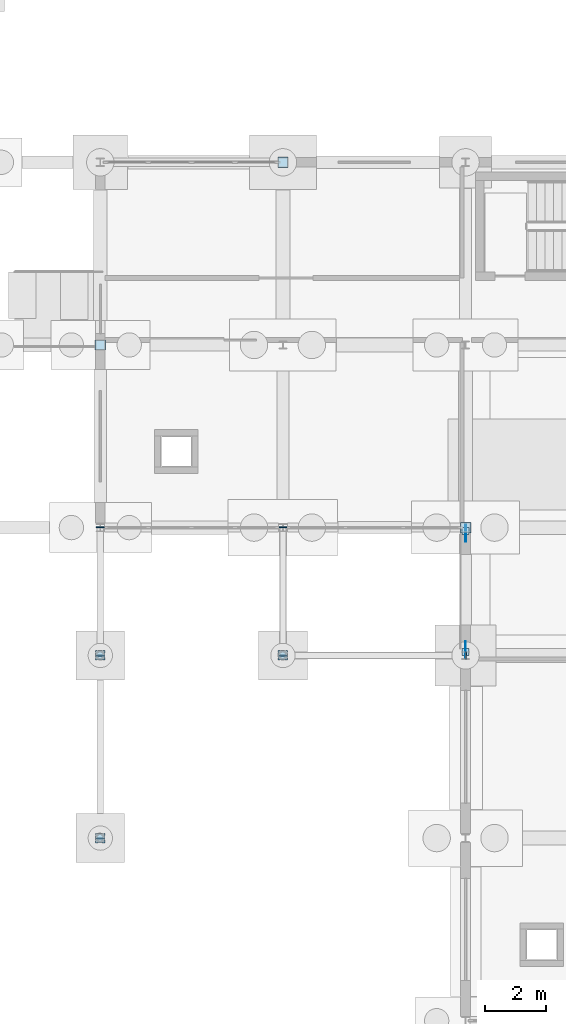
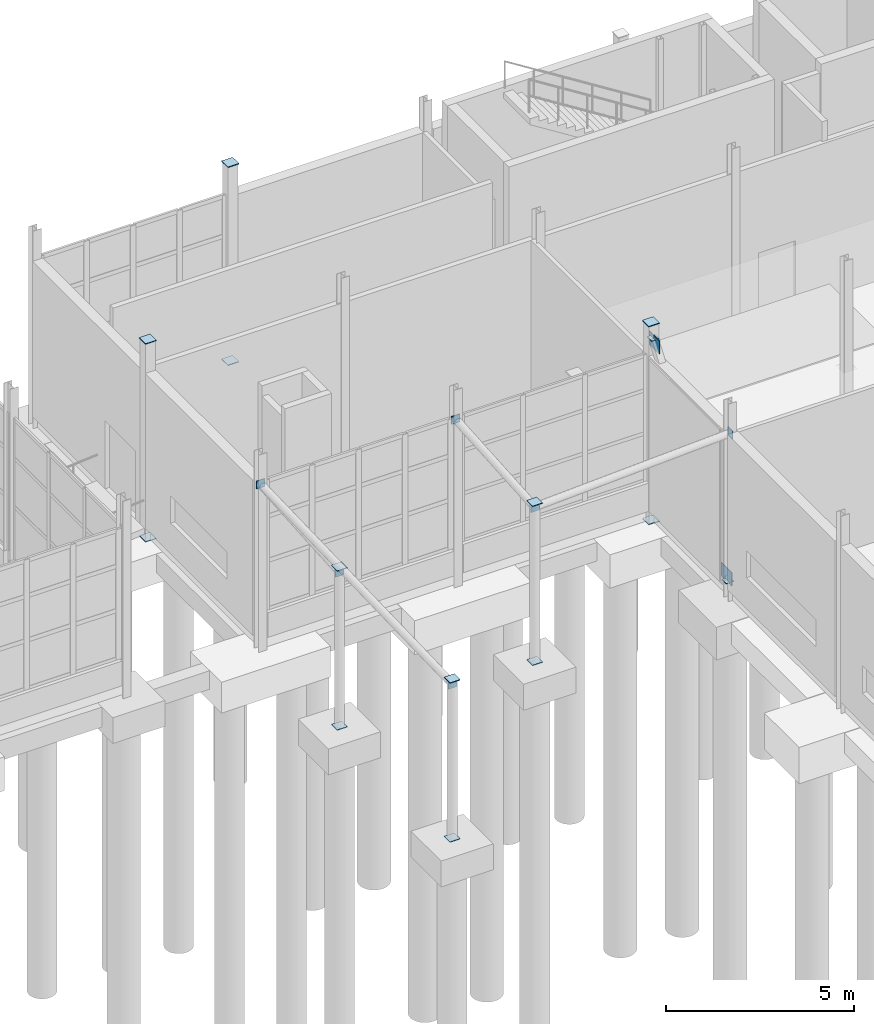
# One storey, part 83 of 120: 22 plates.
"""IFC4 building model written with IfcOpenShell, lengths in metres."""

import ifcopenshell
import ifcopenshell.guid

model = None  # the IFC model being written
_history = None  # IfcOwnerHistory: only IFC2X3 demands one
_inside = {}  # id of a spatial element -> (the spatial element, [elements in it])
_under = {}  # id of a project, library or spatial element -> (it, [spatial elements below it])
_declared = {}  # id of a project -> (the project, [libraries it declares])
_typed = {}  # id of a type object -> (the type object, [elements of that type])
_made_of = {}  # id of a material, layer set ... -> (it, [elements and type objects made of it])


def new_model(schema):
    """Start an empty IFC model of exactly this schema.

    Asked for "IFC4X3", IfcOpenShell would pick the latest addendum, in which some entities
    have other attributes; the version numbers below select the first issue.
    IFC2X3 requires an IfcOwnerHistory on every rooted entity: one is made here for all.
    """
    global model, _history
    if schema == "IFC4X3":
        model = ifcopenshell.file(schema_version=(4, 3, 0, 0))
    else:
        model = ifcopenshell.file(schema=schema)
    _inside.clear()
    _under.clear()
    _declared.clear()
    _typed.clear()
    _made_of.clear()
    _history = None
    if model.schema == "IFC2X3":
        org = make("IfcOrganization", Name="unknown")
        user = make(
            "IfcPersonAndOrganization",
            ThePerson=make("IfcPerson", FamilyName="unknown"),
            TheOrganization=org,
        )
        app = make(
            "IfcApplication",
            ApplicationDeveloper=org,
            Version="unknown",
            ApplicationFullName="unknown",
            ApplicationIdentifier="unknown",
        )
        _history = make(
            "IfcOwnerHistory",
            OwningUser=user,
            OwningApplication=app,
            ChangeAction="ADDED",
            CreationDate=0,
        )
    return model


def make(cls, **values):
    """One entity of the class cls with the attributes given. An attribute that is None is left unset."""
    return model.create_entity(
        cls, **{name: value for name, value in values.items() if value is not None}
    )


def rooted(cls, **values):
    """An entity with a GlobalId (a new one), such as an element, a storey or a relation."""
    return make(cls, GlobalId=ifcopenshell.guid.new(), OwnerHistory=_history, **values)


def si_unit(unit_type, name, prefix=None):
    """IfcSIUnit, for example si_unit("LENGTHUNIT", "METRE", prefix="MILLI")."""
    return make("IfcSIUnit", UnitType=unit_type, Prefix=prefix, Name=name)


def assignment(units):
    """IfcUnitAssignment: the units of a project."""
    return None if units is None else make("IfcUnitAssignment", Units=units)


def point(xyz):
    """IfcCartesianPoint."""
    return None if xyz is None else make("IfcCartesianPoint", Coordinates=xyz)


def direction(xyz):
    """IfcDirection."""
    return None if xyz is None else make("IfcDirection", DirectionRatios=xyz)


def frame(location, z_axis=None, x_axis=None):
    """IfcAxis2Placement3D, a coordinate frame: its origin and axes. An axis left out is left unset."""
    return make(
        "IfcAxis2Placement3D",
        Location=point(location),
        Axis=direction(z_axis),
        RefDirection=direction(x_axis),
    )


def frame_2d(location, x_axis=None):
    """IfcAxis2Placement2D, a coordinate frame in the plane: its origin and x axis."""
    return make(
        "IfcAxis2Placement2D", Location=point(location), RefDirection=direction(x_axis)
    )


def origin():
    """The frame at (0, 0, 0) with its axes left unset."""
    return frame((0.0, 0.0, 0.0))


def origin_2d():
    """The frame at (0, 0) in the plane with its x axis left unset."""
    return frame_2d((0.0, 0.0))


def place(relative_to, where):
    """IfcLocalPlacement: puts the frame where relative to a parent placement (None: the world)."""
    return make(
        "IfcLocalPlacement", PlacementRelTo=relative_to, RelativePlacement=where
    )


def context(
    kind, dimensions, precision=None, world=None, true_north=None, identifier=None
):
    """IfcGeometricRepresentationContext, for example the 3D "Model" context."""
    return make(
        "IfcGeometricRepresentationContext",
        ContextIdentifier=identifier,
        ContextType=kind,
        CoordinateSpaceDimension=dimensions,
        Precision=precision,
        WorldCoordinateSystem=world,
        TrueNorth=true_north,
    )


def subcontext(parent, identifier, kind, view, scale=None):
    """IfcGeometricRepresentationSubContext, for example "Body" below "Model"."""
    return make(
        "IfcGeometricRepresentationSubContext",
        ContextIdentifier=identifier,
        ContextType=kind,
        ParentContext=parent,
        TargetScale=scale,
        TargetView=view,
    )


def project(units=None, contexts=None):
    """IfcProject with its units and contexts."""
    return rooted(
        "IfcProject",
        Name="project",
        RepresentationContexts=contexts,
        UnitsInContext=assignment(units),
    )


def spatial(cls, under=None, at=None, **own):
    """A site, building, storey or space (cls), placed at a placement, below another one or the project."""
    s = rooted(cls, ObjectPlacement=at, **own)
    if under is not None:
        _under.setdefault(under.id(), (under, []))[1].append(s)
    return s


def profile(cls, at=None, kind="AREA", **sizes):
    """A parametric profile (cls). Its sizes go by their IFC names, for example OverallWidth=200.0."""
    return make(cls, ProfileType=kind, Position=at, **sizes)


def rectangle(**sizes):
    """IfcRectangleProfileDef."""
    return profile("IfcRectangleProfileDef", **sizes)


def extrude(swept, where, along, depth):
    """IfcExtrudedAreaSolid: the profile swept, set in the frame where, extruded along a direction by depth."""
    return make(
        "IfcExtrudedAreaSolid",
        SweptArea=swept,
        Position=where,
        ExtrudedDirection=direction(along),
        Depth=depth,
    )


def shape(context_of_items, identifier, shape_type, items):
    """IfcShapeRepresentation: the items that make up one representation, for example the "Body"."""
    return make(
        "IfcShapeRepresentation",
        ContextOfItems=context_of_items,
        RepresentationIdentifier=identifier,
        RepresentationType=shape_type,
        Items=items,
    )


def material(Name=None, Category=None):
    """IfcMaterial."""
    return make("IfcMaterial", Name=Name, Category=Category)


def layer(
    of_material, thickness, ventilated=None, Name=None, Category=None, Priority=None
):
    """IfcMaterialLayer: one layer of a wall or slab, of a material (None: an air gap)."""
    return make(
        "IfcMaterialLayer",
        Material=of_material,
        LayerThickness=thickness,
        IsVentilated=ventilated,
        Name=Name,
        Category=Category,
        Priority=Priority,
    )


def layer_set(layers, Name=None):
    """IfcMaterialLayerSet."""
    return make("IfcMaterialLayerSet", MaterialLayers=layers, LayerSetName=Name)


def made_of(thing, what):
    """Note that an element or type object is made of a material, layer set ...; save() writes the relation."""
    if what is not None:
        _made_of.setdefault(what.id(), (what, []))[1].append(thing)
    return thing


def type_object(cls, material=None, **own):
    """A type object (cls), such as IfcWallType, which elements share."""
    return made_of(rooted(cls, **own), material)


def element(
    cls,
    number,
    at=None,
    inside=None,
    cuts=None,
    type_object=None,
    material=None,
    context=None,
    identifier="Body",
    shape_type=None,
    held_by="IfcProductDefinitionShape",
    body=None,
    shapes=None,
    **own,
):
    """One element of the class cls, such as IfcWall. Its Tag is "e" and its number.

    at: its placement. inside: the storey or other place that contains it. cuts: it is an
    opening in that element (IfcRelVoidsElement). A single representation is given by context,
    identifier, shape_type and body (its items); several are given by shapes. held_by: the class
    of the entity that holds the representations. save() writes the other relations.
    """
    e = rooted(cls, Tag="e%d" % number, ObjectPlacement=at, **own)
    if body is not None:
        shapes = [shape(context, identifier, shape_type, body)]
    if shapes is not None:
        e.Representation = make(held_by, Representations=shapes)
    if inside is not None:
        _inside.setdefault(inside.id(), (inside, []))[1].append(e)
    if cuts is not None:
        rooted(
            "IfcRelVoidsElement", RelatingBuildingElement=cuts, RelatedOpeningElement=e
        )
    if type_object is not None:
        _typed.setdefault(type_object.id(), (type_object, []))[1].append(e)
    return made_of(e, material)


def aggregate(whole, parts):
    """IfcRelAggregates: a whole, such as a stair, and the parts it consists of."""
    return rooted("IfcRelAggregates", RelatingObject=whole, RelatedObjects=parts)


def save(model, path):
    """Write the relations noted so far, then the file.

    IfcRelAggregates (storeys below a building ...), IfcRelContainedInSpatialStructure (elements
    in a storey), IfcRelDefinesByType, IfcRelAssociatesMaterial and IfcRelDeclares: one each for
    every whole, place, type object, material and project.
    """
    for whole, parts in _under.values():
        aggregate(whole, parts)
    for where, things in _inside.values():
        rooted(
            "IfcRelContainedInSpatialStructure",
            RelatedElements=things,
            RelatingStructure=where,
        )
    for kind, things in _typed.values():
        rooted("IfcRelDefinesByType", RelatedObjects=things, RelatingType=kind)
    for what, things in _made_of.values():
        rooted("IfcRelAssociatesMaterial", RelatedObjects=things, RelatingMaterial=what)
    for by, libraries in _declared.values():
        rooted("IfcRelDeclares", RelatingContext=by, RelatedDefinitions=libraries)
    model.write(path)


model = new_model("IFC4")

# Units and contexts
model_context = context("Model", 3, precision=1e-05, world=origin(), true_north=direction((0.0, 1.0)))
body_context = subcontext(model_context, "Body", "Model", "MODEL_VIEW")
ifc_project = project(units=[si_unit("LENGTHUNIT", "METRE"), si_unit("AREAUNIT", "SQUARE_METRE"), si_unit("VOLUMEUNIT", "CUBIC_METRE"), si_unit("PLANEANGLEUNIT", "RADIAN"), si_unit("MASSUNIT", "GRAM", prefix="KILO")], contexts=[model_context])

# Site, building, storey
site_placement = place(None, origin())
site = spatial("IfcSite", under=ifc_project, at=site_placement, CompositionType="ELEMENT")
building_placement = place(site_placement, origin())
building = spatial("IfcBuilding", under=site, at=building_placement, Name="Siltcreek Boulevard Central Fire Station", CompositionType="ELEMENT")
storey_placement = place(building_placement, origin())
storey = spatial("IfcBuildingStorey", under=building, at=storey_placement, Name="L01", CompositionType="ELEMENT", Elevation=0.0)

# Plates
ifc_material = material(Name="Structural steel ASTM A572 Gr50", Category="steel")
ifc_layer_1 = layer(ifc_material, 0.02490234375, Name="Structural steel ASTM A572 Gr50")
ifc_layer_set_1 = layer_set([ifc_layer_1], Name="Structural steel ASTM A572 Gr50")
plate_type_1 = type_object("IfcPlateType", Name="PL_CAP25", PredefinedType="USERDEFINED", material=ifc_layer_set_1)
for number, where, z_axis, x_axis, name in (
    (1, (112.199951171875, 24.0, -0.432861328125), (0.0, 0.0, 1.0), (1.0, 0.0, 0.0), "L01 structural column COLG-L01-1122-240 sealed end cap 1"),
    (2, (112.199951171875, 24.0, 5.998046875), (0.0, 0.0, 1.0), (1.0, 0.0, 0.0), "L01 structural column COLG-L01-1122-240 sealed end cap 2"),
    (3, (118.199951171875, 30.0, -0.432861328125), (0.0, 0.0, 1.0), (1.0, 0.0, 0.0), "L01 structural column COLG-L01-1182-300 sealed end cap 1"),
    (4, (118.199951171875, 30.0, 5.998046875), (0.0, 0.0, 1.0), (1.0, 0.0, 0.0), "L01 structural column COLG-L01-1182-300 sealed end cap 2"),
    (5, (124.199951171875, 18.0, -0.432861328125), (0.0, 0.0, 1.0), (1.0, 0.0, 0.0), "L01 structural column COLG-L01-1242-180 sealed end cap 1"),
    (6, (124.199951171875, 18.0, 5.998046875), (0.0, 0.0, 1.0), (1.0, 0.0, 0.0), "L01 structural column COLG-L01-1242-180 sealed end cap 2"),
):
    element("IfcPlate", number, at=place(storey_placement, frame(where, z_axis=z_axis, x_axis=x_axis)), inside=storey, type_object=plate_type_1, Name=name, ObjectType="END CAP", PredefinedType="USERDEFINED", context=body_context, shape_type="SweptSolid", body=[
        extrude(rectangle(XDim=0.340087890625, YDim=0.340087890625, at=origin_2d()), origin(), (0.0, 0.0, 1.0), 0.02490234375),
    ])
for number, where, z_axis, x_axis, name in (
    (7, (112.199951171875, 7.800048828125, -0.373046875), (0.0, 0.0, 1.0), (1.0, 0.0, 0.0), "Boulevard canopy steel pipe column CC-03 sealed end cap 1"),
    (8, (112.199951171875, 7.800048828125, 4.798095703125), (0.0, 0.0, 1.0), (1.0, 0.0, 0.0), "Boulevard canopy steel pipe column CC-03 sealed end cap 2"),
    (9, (112.199951171875, 13.800048828125, -0.373046875), (0.0, 0.0, 1.0), (1.0, 0.0, 0.0), "Boulevard canopy steel pipe column CC-04 sealed end cap 1"),
    (10, (112.199951171875, 13.800048828125, 4.798095703125), (0.0, 0.0, 1.0), (1.0, 0.0, 0.0), "Boulevard canopy steel pipe column CC-04 sealed end cap 2"),
    (11, (118.199951171875, 13.800048828125, -0.373046875), (0.0, 0.0, 1.0), (1.0, 0.0, 0.0), "Boulevard canopy steel pipe column CC-05 sealed end cap 1"),
    (12, (118.199951171875, 13.800048828125, 4.798095703125), (0.0, 0.0, 1.0), (1.0, 0.0, 0.0), "Boulevard canopy steel pipe column CC-05 sealed end cap 2"),
):
    element("IfcPlate", number, at=place(storey_placement, frame(where, z_axis=z_axis, x_axis=x_axis)), inside=storey, type_object=plate_type_1, Name=name, ObjectType="END CAP", PredefinedType="USERDEFINED", context=body_context, shape_type="SweptSolid", body=[
        extrude(rectangle(XDim=0.31298828125, YDim=0.31298828125, at=origin_2d()), origin(), (0.0, 0.0, 1.0), 0.02490234375),
    ])
for number, where, z_axis, x_axis, name in (
    (13, (124.199951171875, 13.913818359375, 0.0791015625), (0.0, 0.0, 1.0), (1.0, 0.0, 0.0), "L01 buckling-restrained brace BR-037 sealed end cap 1"),
    (14, (124.199951171875, 17.88623046875, 5.546142578125), (0.0, 0.0, 1.0), (1.0, 0.0, 0.0), "L01 buckling-restrained brace BR-037 sealed end cap 2"),
):
    element("IfcPlate", number, at=place(storey_placement, frame(where, z_axis=z_axis, x_axis=x_axis)), inside=storey, type_object=plate_type_1, Name=name, ObjectType="END CAP", PredefinedType="USERDEFINED", context=body_context, shape_type="SweptSolid", body=[
        extrude(rectangle(XDim=0.239990234375, YDim=0.239990234375, at=origin_2d()), origin(), (0.0, 0.0, 1.0), 0.02490234375),
    ])
for number, where, z_axis, x_axis, name in (
    (15, (112.199951171875, 7.78955078125, 4.52001953125), (0.0, 0.0, 1.0), (0.0, 1.0, 0.0), "Boulevard canopy tie strut CS-03 sealed end cap 1"),
    (16, (112.199951171875, 18.010498046875, 4.82080078125), (0.0, 0.0, 1.0), (0.0, 1.0, 0.0), "Boulevard canopy tie strut CS-03 sealed end cap 2"),
    (17, (112.199951171875, 13.78955078125, 4.52001953125), (0.0, 0.0, 1.0), (0.0, 1.0, 0.0), "Boulevard canopy tie strut CS-04 sealed end cap 1"),
    (18, (118.199951171875, 13.78955078125, 4.52001953125), (0.0, 0.0, 1.0), (0.0, 1.0, 0.0), "Boulevard canopy tie strut CS-05 sealed end cap 1"),
    (19, (118.199951171875, 18.010498046875, 4.8212890625), (0.0, 0.0, 1.0), (0.0, 1.0, 0.0), "Boulevard canopy tie strut CS-05 sealed end cap 2"),
    (20, (124.21044921875, 13.800048828125, 4.82080078125), (0.0, 0.0, 1.0), (1.0, 0.0, 0.0), "Boulevard canopy tie strut CS-06 sealed end cap 2"),
):
    element("IfcPlate", number, at=place(storey_placement, frame(where, z_axis=z_axis, x_axis=x_axis)), inside=storey, type_object=plate_type_1, Name=name, ObjectType="END CAP", PredefinedType="USERDEFINED", context=body_context, shape_type="SweptSolid", body=[
        extrude(rectangle(XDim=0.02490234375, YDim=0.259033203125, at=origin_2d()), origin(), (0.0, 0.0, 1.0), 0.259033203125),
    ])
ifc_layer_2 = layer(ifc_material, 0.02197265625, Name="Structural steel ASTM A572 Gr50")
ifc_layer_set_2 = layer_set([ifc_layer_2], Name="Structural steel ASTM A572 Gr50")
plate_type_2 = type_object("IfcPlateType", Name="PL_GUS22", PredefinedType="USERDEFINED", material=ifc_layer_set_2)
plate_1_placement = place(storey_placement, frame((124.199951171875, 13.97998046875, 0.030029296875), z_axis=(0.0, 0.0, 1.0), x_axis=(0.0, 1.0, 0.0)))
element("IfcPlate", 21, at=plate_1_placement, inside=storey, type_object=plate_type_2, Name="Seismic brace bot gusset plate GP-107", ObjectType="GUSSET PLATE", PredefinedType="USERDEFINED", context=body_context, shape_type="SweptSolid", body=[
    extrude(rectangle(XDim=0.56005859375, YDim=0.02197265625, at=origin_2d()), origin(), (0.0, 0.0, 1.0), 0.43994140625),
])
ifc_layer_3 = layer(ifc_material, 0.028076171875, Name="Structural steel ASTM A572 Gr50")
ifc_layer_set_3 = layer_set([ifc_layer_3], Name="Structural steel ASTM A572 Gr50")
plate_type_3 = type_object("IfcPlateType", Name="PL_GUS28", PredefinedType="USERDEFINED", material=ifc_layer_set_3)
plate_2_placement = place(storey_placement, frame((124.199951171875, 17.820068359375, 5.22998046875), z_axis=(0.0, 0.0, 1.0), x_axis=(0.0, 1.0, 0.0)))
element("IfcPlate", 22, at=plate_2_placement, inside=storey, type_object=plate_type_3, Name="Seismic brace top gusset plate GP-108", ObjectType="GUSSET PLATE", PredefinedType="USERDEFINED", context=body_context, shape_type="SweptSolid", body=[
    extrude(rectangle(XDim=0.56005859375, YDim=0.028076171875, at=origin_2d()), origin(), (0.0, 0.0, 1.0), 0.43994140625),
])

save(model, "model.ifc")
